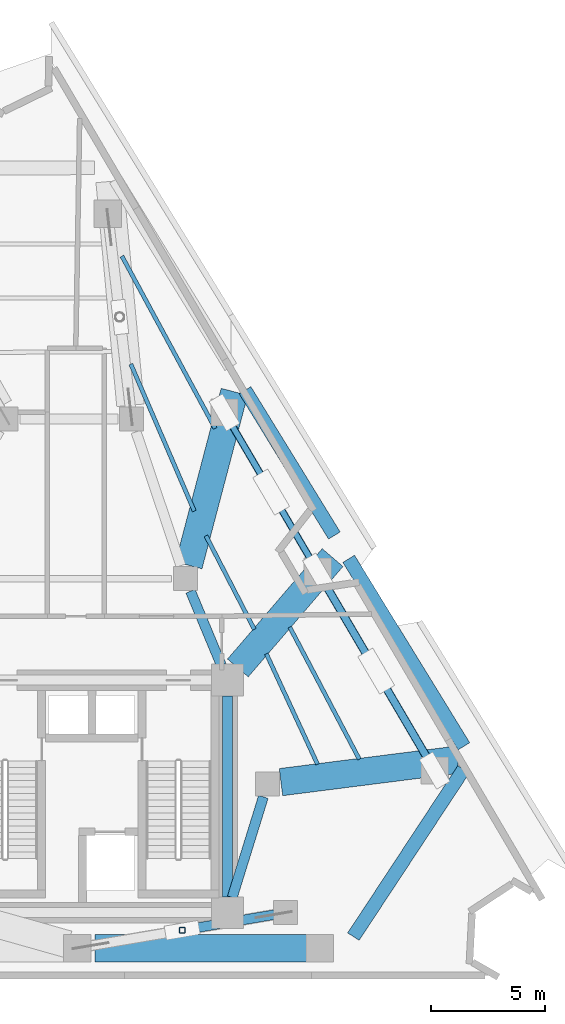
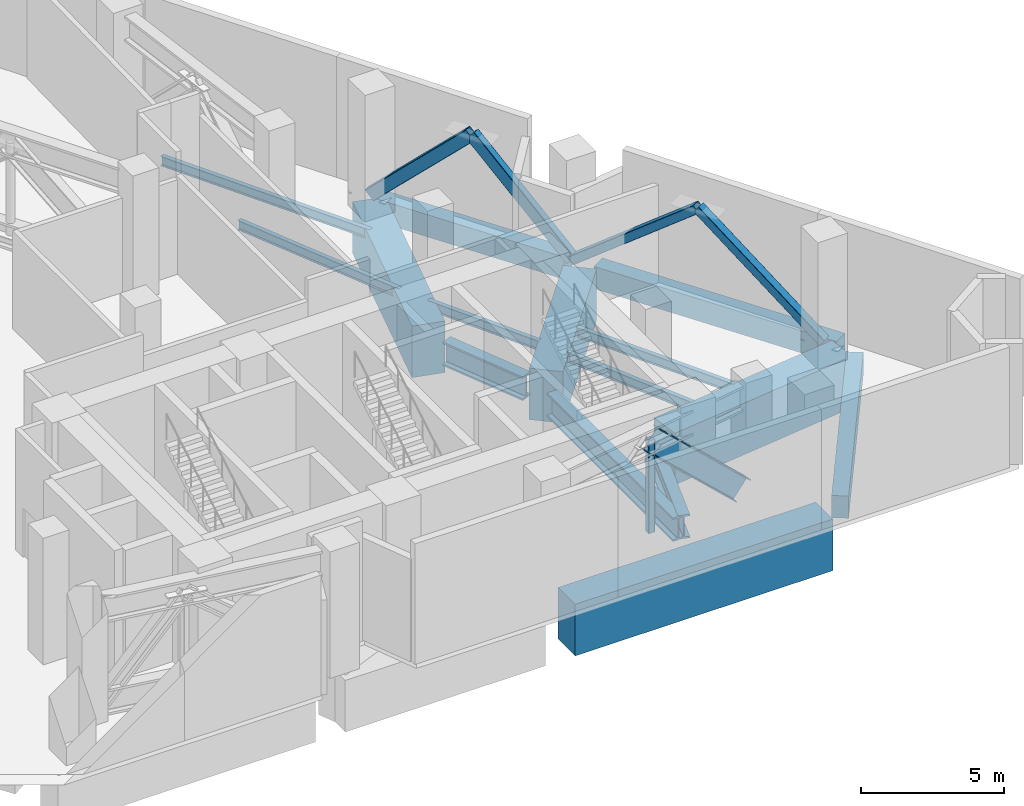
# One storey, part 5 of 9: 15 beams, 6 members.
"""IFC4 building model written with IfcOpenShell, lengths in metres."""

from ifc_helpers import new_model, si_unit, direction, frame, origin, origin_2d, place, context, subcontext, project, spatial, rectangle, hollow_rectangle, i_section, extrude, material, material_profile, profile_set, type_object, element, save


model = new_model("IFC4")

# Units and contexts
model_context = context("Model", 3, precision=1e-05, world=origin(), true_north=direction((0.0, 1.0)))
body_context = subcontext(model_context, "Body", "Model", "MODEL_VIEW")
ifc_project = project(units=[si_unit("LENGTHUNIT", "METRE"), si_unit("AREAUNIT", "SQUARE_METRE"), si_unit("VOLUMEUNIT", "CUBIC_METRE"), si_unit("PLANEANGLEUNIT", "RADIAN"), si_unit("MASSUNIT", "GRAM", prefix="KILO")], contexts=[model_context])

# Site, building, storey
site_placement = place(None, origin())
site = spatial("IfcSite", under=ifc_project, at=site_placement, CompositionType="ELEMENT")
building_placement = place(site_placement, origin())
building = spatial("IfcBuilding", under=site, at=building_placement, Name="Almagre Mirador Tower", CompositionType="ELEMENT")
storey_placement = place(building_placement, frame((0.0, 0.0, 105.0)))
storey = spatial("IfcBuildingStorey", under=building, at=storey_placement, Name="L26", CompositionType="ELEMENT", Elevation=105.0)

# Beams
ifc_material_1 = material(Name="Steel ASTM A992 Grade 50", Category="steel")
ifc_material_profile_1 = material_profile(ifc_material_1, i_section(OverallWidth=0.178955078125, OverallDepth=0.408935546875, WebThickness=0.0087890625, FlangeThickness=0.014404296875, FilletRadius=0.013916015625, at=origin_2d()), Name="W16X45")
ifc_profile_set_1 = profile_set([ifc_material_profile_1], Name="Steel ASTM A992 Grade 50")
beam_type_1 = type_object("IfcBeamType", Name="BM-JST-W16X45", PredefinedType="JOIST", material=ifc_profile_set_1)
beam_1_placement = place(storey_placement, frame((52.83056640625, 11.279296875, -0.50439453125), z_axis=(-0.465993805365, 0.884787982152, 0.0), x_axis=(-0.884787982152, -0.465993805365, 0.0)))
element("IfcBeam", 1, at=beam_1_placement, inside=storey, type_object=beam_type_1, Name="L26 secondary floor joist PC05-PC06.2", PredefinedType="JOIST", context=body_context, shape_type="SweptSolid", body=[
    extrude(i_section(OverallWidth=0.178955078125, OverallDepth=0.408935546875, WebThickness=0.0087890625, FlangeThickness=0.014404296875, FilletRadius=0.013916015625, at=origin_2d()), origin(), (0.0, 0.0, 1.0), 6.54833984375),
])
beam_2_placement = place(storey_placement, frame((51.000244140625, 11.056396484375, -0.50439453125), z_axis=(-0.420652958357, 0.90722163148, 0.0), x_axis=(-0.90722163148, -0.420652958357, 0.0)))
element("IfcBeam", 2, at=beam_2_placement, inside=storey, type_object=beam_type_1, Name="L26 secondary floor joist PC05-PC06.3", PredefinedType="JOIST", context=body_context, shape_type="SweptSolid", body=[
    extrude(i_section(OverallWidth=0.178955078125, OverallDepth=0.408935546875, WebThickness=0.0087890625, FlangeThickness=0.014404296875, FilletRadius=0.013916015625, at=origin_2d()), origin(), (0.0, 0.0, 1.0), 5.337158203125),
])
beam_3_placement = place(storey_placement, frame((48.22705078125, 16.9755859375, -0.50439453125), z_axis=(-0.459303406185, 0.888279449873, 0.0), x_axis=(-0.888279449873, -0.459303406185, 0.0)))
element("IfcBeam", 3, at=beam_3_placement, inside=storey, type_object=beam_type_1, Name="L26 secondary floor joist PC06-PC07.3", PredefinedType="JOIST", context=body_context, shape_type="SweptSolid", body=[
    extrude(i_section(OverallWidth=0.178955078125, OverallDepth=0.408935546875, WebThickness=0.0087890625, FlangeThickness=0.014404296875, FilletRadius=0.013916015625, at=origin_2d()), origin(), (0.0, 0.0, 1.0), 4.61279296875),
])
beam_4_placement = place(storey_placement, frame((46.5078125, 25.785400390625, -0.50439453125), z_axis=(-0.475898294484, 0.879500320243, 0.0), x_axis=(-0.879500320243, -0.475898294484, 0.0)))
element("IfcBeam", 4, at=beam_4_placement, inside=storey, type_object=beam_type_1, Name="L26 secondary floor joist PC07-PC08.1", PredefinedType="JOIST", context=body_context, shape_type="SweptSolid", body=[
    extrude(i_section(OverallWidth=0.178955078125, OverallDepth=0.408935546875, WebThickness=0.0087890625, FlangeThickness=0.014404296875, FilletRadius=0.013916015625, at=origin_2d()), origin(), (0.0, 0.0, 1.0), 8.584228515625),
])
beam_5_placement = place(storey_placement, frame((45.594970703125, 22.156982421875, -0.50439453125), z_axis=(-0.396314760821, 0.918114704357, 0.0), x_axis=(-0.918114704357, -0.396314760821, 0.0)))
element("IfcBeam", 5, at=beam_5_placement, inside=storey, type_object=beam_type_1, Name="L26 secondary floor joist PC07-PC08.3", PredefinedType="JOIST", context=body_context, shape_type="SweptSolid", body=[
    extrude(i_section(OverallWidth=0.178955078125, OverallDepth=0.408935546875, WebThickness=0.0087890625, FlangeThickness=0.014404296875, FilletRadius=0.013916015625, at=origin_2d()), origin(), (0.0, 0.0, 1.0), 7.01953125),
])
ifc_material_2 = material(Name="Precast concrete C50/60", Category="concrete")
ifc_material_profile_2 = material_profile(ifc_material_2, rectangle(XDim=0.60009765625, YDim=0.949951171875, at=origin_2d()), Name="RC600X950")
ifc_profile_set_2 = profile_set([ifc_material_profile_2], Name="Precast concrete C50/60")
beam_type_2 = type_object("IfcBeamType", Name="BM-SPN-RC600X950", PredefinedType="SPANDREL", material=ifc_profile_set_2)
beam_6_placement = place(storey_placement, frame((52.570068359375, 3.501220703125, -0.77490234375), z_axis=(0.550014218611, 0.835155290545, 0.0), x_axis=(-0.835155290545, 0.550014218611, 0.0)))
element("IfcBeam", 6, at=beam_6_placement, inside=storey, type_object=beam_type_2, Name="L26 perimeter spandrel beam PC04-PC05", PredefinedType="SPANDREL", context=body_context, shape_type="SweptSolid", body=[
    extrude(rectangle(XDim=0.60009765625, YDim=0.949951171875, at=origin_2d()), origin(), (0.0, 0.0, 1.0), 8.78125),
])
beam_7_placement = place(storey_placement, frame((57.415771484375, 11.84716796875, -0.77490234375), z_axis=(-0.523677963784, 0.85191630472, 0.0), x_axis=(-0.85191630472, -0.523677963784, 0.0)))
element("IfcBeam", 7, at=beam_7_placement, inside=storey, type_object=beam_type_2, Name="L26 perimeter spandrel beam PC05-PC06", PredefinedType="SPANDREL", context=body_context, shape_type="SweptSolid", body=[
    extrude(rectangle(XDim=0.60009765625, YDim=0.949951171875, at=origin_2d()), origin(), (0.0, 0.0, 1.0), 9.646240234375),
])
beam_8_placement = place(storey_placement, frame((51.73583984375, 21.087158203125, -0.77490234375), z_axis=(-0.523685630809, 0.851911591707, 0.0), x_axis=(-0.851911591707, -0.523685630809, 0.0)))
element("IfcBeam", 8, at=beam_8_placement, inside=storey, type_object=beam_type_2, Name="L26 perimeter spandrel beam PC06-PC07", PredefinedType="SPANDREL", context=body_context, shape_type="SweptSolid", body=[
    extrude(rectangle(XDim=0.60009765625, YDim=0.949951171875, at=origin_2d()), origin(), (0.0, 0.0, 1.0), 7.476806640625),
])
ifc_material_3 = material(Name="Steel ASTM A992 Grade 50", Category="steel")
ifc_material_profile_3 = material_profile(ifc_material_3, i_section(OverallWidth=0.43701171875, OverallDepth=1.010986328125, WebThickness=0.041015625, FlangeThickness=0.073974609375, FilletRadius=0.028076171875, at=origin_2d()), Name="W36X529")
ifc_profile_set_3 = profile_set([ifc_material_profile_3], Name="Steel ASTM A992 Grade 50")
beam_type_3 = type_object("IfcBeamType", Name="BM-STL-W36X529", PredefinedType="BEAM", material=ifc_profile_set_3)
beam_9_placement = place(storey_placement, frame((47.050048828125, 5.25, -0.805419921875), z_axis=(0.0, 1.0, 0.0), x_axis=(-1.0, 0.0, 0.0)))
element("IfcBeam", 9, at=beam_9_placement, inside=storey, type_object=beam_type_3, Name="L26 core tie girder CC3-CC6", PredefinedType="BEAM", context=body_context, shape_type="SweptSolid", body=[
    extrude(i_section(OverallWidth=0.43701171875, OverallDepth=1.010986328125, WebThickness=0.041015625, FlangeThickness=0.073974609375, FilletRadius=0.028076171875, at=origin_2d()), origin(), (0.0, 0.0, 1.0), 8.800048828125),
])
beam_10_placement = place(storey_placement, frame((48.62255859375, 9.626953125, -0.805419921875), z_axis=(-0.295888328273, -0.955222538046, 0.0), x_axis=(0.955222538046, -0.295888328273, 0.0)))
element("IfcBeam", 10, at=beam_10_placement, inside=storey, type_object=beam_type_3, Name="L26 core tie girder MC3-CC3", PredefinedType="BEAM", context=body_context, shape_type="SweptSolid", body=[
    extrude(i_section(OverallWidth=0.43701171875, OverallDepth=1.010986328125, WebThickness=0.041015625, FlangeThickness=0.073974609375, FilletRadius=0.028076171875, at=origin_2d()), origin(), (0.0, 0.0, 1.0), 4.61474609375),
])
beam_11_placement = place(storey_placement, frame((45.430419921875, 18.64599609375, -0.805419921875), z_axis=(0.383856635851, -0.923392702545, 0.0), x_axis=(0.923392702545, 0.383856635851, 0.0)))
element("IfcBeam", 11, at=beam_11_placement, inside=storey, type_object=beam_type_3, Name="L26 core tie girder MC5-CC6", PredefinedType="BEAM", context=body_context, shape_type="SweptSolid", body=[
    extrude(i_section(OverallWidth=0.43701171875, OverallDepth=1.010986328125, WebThickness=0.041015625, FlangeThickness=0.073974609375, FilletRadius=0.028076171875, at=origin_2d()), origin(), (0.0, 0.0, 1.0), 3.51904296875),
])
ifc_material_4 = material(Name="Concrete C60/75", Category="concrete")
ifc_material_profile_4 = material_profile(ifc_material_4, rectangle(XDim=1.199951171875, YDim=2.199951171875, at=origin_2d()), Name="RC1200X2200")
ifc_profile_set_4 = profile_set([ifc_material_profile_4], Name="Concrete C60/75")
beam_type_4 = type_object("IfcBeamType", Name="BM-XFER-RC1200X2200", PredefinedType="BEAM", material=ifc_profile_set_4)
beam_12_placement = place(storey_placement, frame((41.239990234375, 3.0, -1.39990234375), z_axis=(1.0, 0.0, 0.0), x_axis=(0.0, 1.0, 0.0)))
element("IfcBeam", 12, at=beam_12_placement, inside=storey, type_object=beam_type_4, Name="L26 perimeter spandrel beam PC03-PC04", PredefinedType="BEAM", context=body_context, shape_type="SweptSolid", body=[
    extrude(rectangle(XDim=1.199951171875, YDim=2.199951171875, at=origin_2d()), origin(), (0.0, 0.0, 1.0), 10.39990234375),
])
beam_13_placement = place(storey_placement, frame((57.134765625, 11.26025390625, -1.39990234375), z_axis=(-0.992004466141, -0.126202770006, 0.0), x_axis=(0.126202770006, -0.992004466141, 0.0)))
element("IfcBeam", 13, at=beam_13_placement, inside=storey, type_object=beam_type_4, Name="L26 radial transfer girder PC05-MC3", PredefinedType="BEAM", context=body_context, shape_type="SweptSolid", body=[
    extrude(rectangle(XDim=1.199951171875, YDim=2.199951171875, at=origin_2d()), origin(), (0.0, 0.0, 1.0), 7.802001953125),
])
beam_14_placement = place(storey_placement, frame((51.6591796875, 20.12060546875, -1.39990234375), z_axis=(-0.651270456957, -0.758845697026, 0.0), x_axis=(0.758845697026, -0.651270456957, 0.0)))
element("IfcBeam", 14, at=beam_14_placement, inside=storey, type_object=beam_type_4, Name="L26 radial transfer girder PC06-CC6", PredefinedType="BEAM", context=body_context, shape_type="SweptSolid", body=[
    extrude(rectangle(XDim=1.199951171875, YDim=2.199951171875, at=origin_2d()), origin(), (0.0, 0.0, 1.0), 6.377197265625),
])
beam_15_placement = place(storey_placement, frame((47.353515625, 27.3876953125, -1.39990234375), z_axis=(-0.25437719106, -0.967105084605, 0.0), x_axis=(0.967105084605, -0.25437719106, 0.0)))
element("IfcBeam", 15, at=beam_15_placement, inside=storey, type_object=beam_type_4, Name="L26 radial transfer girder PC07-MC5", PredefinedType="BEAM", context=body_context, shape_type="SweptSolid", body=[
    extrude(rectangle(XDim=1.199951171875, YDim=2.199951171875, at=origin_2d()), origin(), (0.0, 0.0, 1.0), 7.8662109375),
])

# Members
ifc_material_5 = material(Name="Steel ASTM A500 Grade C", Category="steel")
ifc_material_profile_5 = material_profile(ifc_material_5, hollow_rectangle(XDim=0.35009765625, YDim=0.35009765625, WallThickness=0.012451171875, InnerFilletRadius=0.012451171875, OuterFilletRadius=0.02490234375, at=origin_2d()), Name="HSS350X350X12.5")
ifc_profile_set_5 = profile_set([ifc_material_profile_5], Name="Steel ASTM A500 Grade C")
member_type_1 = type_object("IfcMemberType", Name="MBR-BRC-HSS350", PredefinedType="BRACE", material=ifc_profile_set_5)
member_1_placement = place(storey_placement, frame((56.133056640625, 10.783935546875, 0.64990234375), z_axis=(-0.398752045168, 0.679125765273, 0.616266988746), x_axis=(-0.862341079517, -0.506327821256, 0.0)))
element("IfcMember", 16, at=member_1_placement, inside=storey, type_object=member_type_1, Name="L26 perimeter belt truss brace PC05-apex", PredefinedType="BRACE", context=body_context, shape_type="SweptSolid", body=[
    extrude(hollow_rectangle(XDim=0.35009765625, YDim=0.35009765625, WallThickness=0.012451171875, InnerFilletRadius=0.012451171875, OuterFilletRadius=0.02490234375, at=origin_2d()), origin(), (0.0, 0.0, 1.0), 6.420166015625),
])
member_2_placement = place(storey_placement, frame((51.012939453125, 19.50390625, 0.64990234375), z_axis=(0.39876234312, -0.679105275933, 0.61628290412), x_axis=(0.862328699745, 0.506348905002, 0.0)))
element("IfcMember", 17, at=member_2_placement, inside=storey, type_object=member_type_1, Name="L26 perimeter belt truss brace PC06-apex", PredefinedType="BRACE", context=body_context, shape_type="SweptSolid", body=[
    extrude(hollow_rectangle(XDim=0.35009765625, YDim=0.35009765625, WallThickness=0.012451171875, InnerFilletRadius=0.012451171875, OuterFilletRadius=0.02490234375, at=origin_2d()), origin(), (0.0, 0.0, 1.0), 6.419921875),
])
ifc_material_6 = material(Name="Steel ASTM A500 Grade C", Category="steel")
ifc_material_profile_6 = material_profile(ifc_material_6, hollow_rectangle(XDim=0.300048828125, YDim=0.5, WallThickness=0.01611328125, InnerFilletRadius=0.01611328125, OuterFilletRadius=0.031982421875, at=origin_2d()), Name="HSS500X300X16")
ifc_profile_set_6 = profile_set([ifc_material_profile_6], Name="Steel ASTM A500 Grade C")
member_type_2 = type_object("IfcMemberType", Name="MBR-BRC-HSS500", PredefinedType="BRACE", material=ifc_profile_set_6)
for number, where, z_axis, x_axis, name in (
    (18, (51.012939453125, 19.50390625, 0.64990234375), (-0.361931395476, 0.616465647016, 0.699268025165), (-0.862359067869, -0.506297183543, 0.0), "L26 perimeter belt truss brace PC06-apex"),
    (19, (46.9169921875, 26.47998046875, 0.64990234375), (0.361968891073, -0.616456019401, 0.69925710439), (0.862332713859, 0.506342068773, 0.0), "L26 perimeter belt truss brace PC07-apex"),
):
    element("IfcMember", number, at=place(storey_placement, frame(where, z_axis=z_axis, x_axis=x_axis)), inside=storey, type_object=member_type_2, Name=name, PredefinedType="BRACE", context=body_context, shape_type="SweptSolid", body=[
        extrude(hollow_rectangle(XDim=0.300048828125, YDim=0.5, WallThickness=0.01611328125, InnerFilletRadius=0.01611328125, OuterFilletRadius=0.031982421875, at=origin_2d()), origin(), (0.0, 0.0, 1.0), 5.658203125),
    ])
ifc_material_7 = material(Name="Steel ASTM A913 Grade 65", Category="steel")
ifc_material_profile_7 = material_profile(ifc_material_7, i_section(OverallWidth=0.423095703125, OverallDepth=0.947998046875, WebThickness=0.02392578125, FlangeThickness=0.042724609375, FilletRadius=0.028076171875, at=origin_2d()), Name="W36X302")
ifc_profile_set_7 = profile_set([ifc_material_profile_7], Name="Steel ASTM A913 Grade 65")
member_type_3 = type_object("IfcMemberType", Name="MBR-BRC-W36X302", PredefinedType="BRACE", material=ifc_profile_set_7)
member_3_placement = place(storey_placement, frame((45.06494140625, 3.78125, 4.6064453125), z_axis=(0.707355888565, 0.119927256265, -0.696609718649), x_axis=(-0.167157585856, 0.985930190983, 0.0)))
element("IfcMember", 20, at=member_3_placement, inside=storey, type_object=member_type_3, Name="L26 outrigger truss 2 diagonal 2", PredefinedType="BRACE", context=body_context, shape_type="SweptSolid", body=[
    extrude(i_section(OverallWidth=0.423095703125, OverallDepth=0.947998046875, WebThickness=0.02392578125, FlangeThickness=0.042724609375, FilletRadius=0.028076171875, at=origin_2d()), origin(), (0.0, 0.0, 1.0), 5.6796875),
])
ifc_material_8 = material(Name="Steel ASTM A500 Grade C", Category="steel")
ifc_material_profile_8 = material_profile(ifc_material_8, hollow_rectangle(XDim=0.25, YDim=0.25, WallThickness=0.010009765625, InnerFilletRadius=0.010009765625, OuterFilletRadius=0.02001953125, at=origin_2d()), Name="HSS250X250X10")
ifc_profile_set_8 = profile_set([ifc_material_profile_8], Name="Steel ASTM A500 Grade C")
member_type_4 = type_object("IfcMemberType", Name="MBR-STR-HSS250", PredefinedType="STRUT", material=ifc_profile_set_8)
member_4_placement = place(storey_placement, frame((45.06494140625, 3.78125, 0.64990234375), z_axis=(0.0, 0.0, 1.0), x_axis=(1.0, 0.0, 0.0)))
element("IfcMember", 21, at=member_4_placement, inside=storey, type_object=member_type_4, Name="L26 outrigger vertical post strut 2.1", PredefinedType="STRUT", context=body_context, shape_type="SweptSolid", body=[
    extrude(hollow_rectangle(XDim=0.25, YDim=0.25, WallThickness=0.010009765625, InnerFilletRadius=0.010009765625, OuterFilletRadius=0.02001953125, at=origin_2d()), origin(), (0.0, 0.0, 1.0), 3.95654296875),
])

save(model, "model.ifc")
